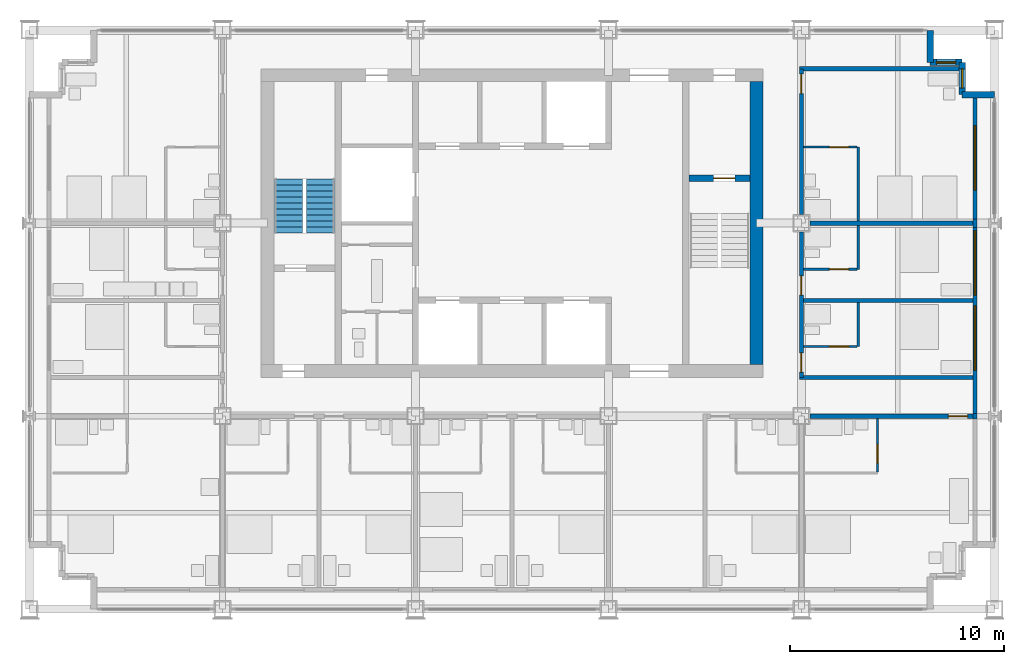
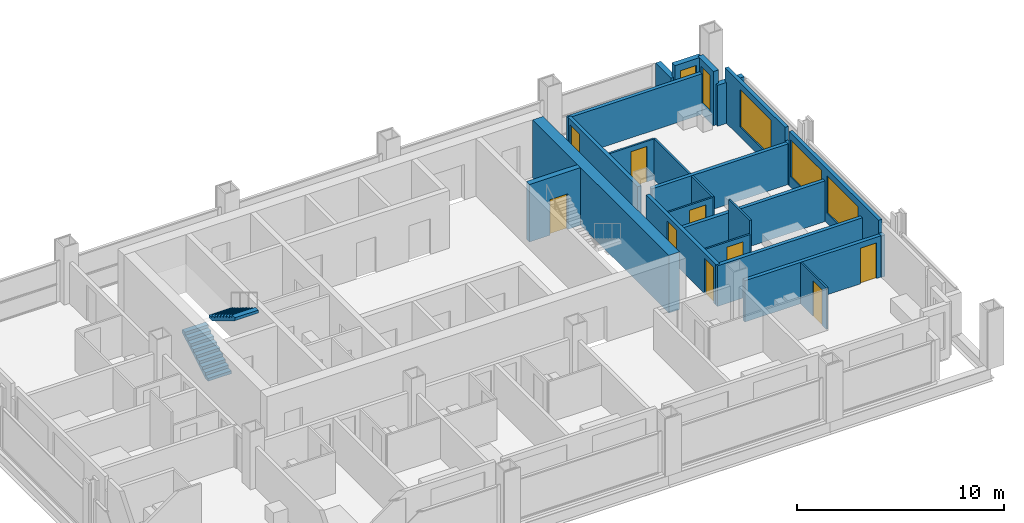
# One storey, part 10 of 14: 24 walls, 9 doors, 5 windows, 2 stair flights, 14 openings, 1 element without a shape of its own.
"""IFC4 building model written with IfcOpenShell, lengths in metres."""

from ifc_helpers import new_model, si_unit, direction, frame, frame_2d, origin, place, context, subcontext, project, spatial, polyline, rectangle, outline, extrude, material, layer, layer_set, type_object, element, fill, aggregate, save


model = new_model("IFC4")

# Units and contexts
model_context = context("Model", 3, precision=1e-05, world=origin(), true_north=direction((0.0, 1.0)))
body_context = subcontext(model_context, "Body", "Model", "MODEL_VIEW")
ifc_project = project(units=[si_unit("LENGTHUNIT", "METRE"), si_unit("AREAUNIT", "SQUARE_METRE"), si_unit("VOLUMEUNIT", "CUBIC_METRE"), si_unit("PLANEANGLEUNIT", "RADIAN"), si_unit("MASSUNIT", "GRAM", prefix="KILO")], contexts=[model_context])

# Site, building, storey
site_placement = place(None, origin())
site = spatial("IfcSite", under=ifc_project, at=site_placement, CompositionType="ELEMENT")
building_placement = place(site_placement, origin())
building = spatial("IfcBuilding", under=site, at=building_placement, Name="Loomwork Tower", CompositionType="ELEMENT")
storey_placement = place(building_placement, frame((0.0, 0.0, 167.199951171875)))
storey = spatial("IfcBuildingStorey", under=building, at=storey_placement, Name="L45", CompositionType="ELEMENT", Elevation=167.199951171875)

# Wall, opening, door
ifc_material_1 = material(Name="Concrete 14000 psi (97 MPa)", Category="concrete")
ifc_layer_1 = layer(ifc_material_1, 0.300048828125)
ifc_layer_set_1 = layer_set([ifc_layer_1], Name="Core shear wall 300")
wall_type_1 = type_object("IfcWallType", Name="Core shear wall 300", PredefinedType="SHEAR", material=ifc_layer_set_1)
wall_1_placement = place(storey_placement, frame((30.75, 20.10009765625, 0.0), z_axis=(0.0, 0.0, 1.0), x_axis=(1.0, 0.0, 0.0)))
wall_1 = element("IfcWall", 1, at=wall_1_placement, inside=storey, type_object=wall_type_1, Name="Stair B north wall L45", PredefinedType="SHEAR", context=body_context, shape_type="SweptSolid", body=[
    extrude(rectangle(XDim=2.85009765625, YDim=0.300048828125, at=frame_2d((1.425048828125, 0.0))), origin(), (0.0, 0.0, 1.0), 3.400146484375),
])
opening_1_placement = place(wall_1_placement, frame((1.14990234375, 0.0, 0.0)))
opening_1 = element("IfcOpeningElement", 2, at=opening_1_placement, cuts=wall_1, Name="Opening D4", PredefinedType="OPENING", context=body_context, shape_type="SweptSolid", body=[
    extrude(rectangle(XDim=1.0, YDim=2.10009765625, at=frame_2d((0.5, 1.050048828125))), frame((0.0, 0.159912109375, 0.0), z_axis=(0.0, -1.0, 0.0), x_axis=(1.0, 0.0, 0.0)), (0.0, 0.0, 1.0), 0.320068359375),
])
ifc_material_2 = material(Name="Hollow metal door and frame")
door_type_1 = type_object("IfcDoorType", Name="Stair door 1000", OperationType="SINGLE_SWING_RIGHT", PredefinedType="DOOR", material=ifc_material_2)
door_1_placement = place(opening_1_placement, frame((1.0, 0.0, 0.0), z_axis=(0.0, 0.0, 1.0), x_axis=(-1.0, 0.0, 0.0)))
door_1 = element("IfcDoor", 3, at=door_1_placement, inside=storey, type_object=door_type_1, Name="Stair B door", OperationType="SINGLE_SWING_LEFT", OverallHeight=2.10009765625, OverallWidth=1.0, PredefinedType="DOOR", context=body_context, shape_type="SweptSolid", body=[
    extrude(rectangle(XDim=1.0, YDim=2.10009765625, at=frame_2d((0.5, 1.050048828125))), frame((0.0, 0.02490234375, 0.0), z_axis=(0.0, -1.0, 0.0), x_axis=(1.0, 0.0, 0.0)), (0.0, 0.0, 1.0), 0.050048828125),
])
fill(opening_1, door_1)

# Wall
ifc_material_3 = material(Name="Concrete 14000 psi (97 MPa)", Category="concrete")
ifc_layer_2 = layer(ifc_material_3, 0.60009765625)
ifc_layer_set_2 = layer_set([ifc_layer_2], Name="Core shear wall 600")
wall_type_2 = type_object("IfcWallType", Name="Core shear wall 600", PredefinedType="SHEAR", material=ifc_layer_set_2)
wall_2_placement = place(storey_placement, frame((33.89990234375, 11.39990234375, 0.0), z_axis=(0.0, 0.0, 1.0), x_axis=(0.0, 1.0, 0.0)))
element("IfcWall", 4, at=wall_2_placement, inside=storey, type_object=wall_type_2, Name="Core wall east L45", PredefinedType="SHEAR", context=body_context, shape_type="SweptSolid", body=[
    extrude(rectangle(XDim=13.2001953125, YDim=0.60009765625, at=frame_2d((6.60009765625, 0.0))), origin(), (0.0, 0.0, 1.0), 3.400146484375),
])

# Wall, opening, door
ifc_material_4 = material(Name="Gypsum board on steel studs, one-hour", Category="steel")
ifc_layer_3 = layer(ifc_material_4, 0.199951171875)
ifc_layer_set_3 = layer_set([ifc_layer_3], Name="Corridor wall 200")
wall_type_3 = type_object("IfcWallType", Name="Corridor wall 200", PredefinedType="PARTITIONING", material=ifc_layer_set_3)
wall_3_placement = place(storey_placement, frame((36.39990234375, 9.0, 0.0), z_axis=(0.0, 0.0, 1.0), x_axis=(1.0, 0.0, 0.0)))
wall_3 = element("IfcWall", 5, at=wall_3_placement, inside=storey, type_object=wall_type_3, Name="South corridor wall 5", PredefinedType="PARTITIONING", context=body_context, shape_type="SweptSolid", body=[
    extrude(rectangle(XDim=7.60009765625, YDim=0.199951171875, at=frame_2d((3.800048828125, 0.0))), origin(), (0.0, 0.0, 1.0), 2.43798828125),
])
opening_2_placement = place(wall_3_placement, frame((6.449951171875, 0.0, 0.0)))
opening_2 = element("IfcOpeningElement", 6, at=opening_2_placement, cuts=wall_3, Name="Opening D1", PredefinedType="OPENING", context=body_context, shape_type="SweptSolid", body=[
    extrude(rectangle(XDim=0.89990234375, YDim=2.10009765625, at=frame_2d((0.449951171875, 1.050048828125))), frame((0.0, 0.10986328125, 0.0), z_axis=(0.0, -1.0, 0.0), x_axis=(1.0, 0.0, 0.0)), (0.0, 0.0, 1.0), 0.219970703125),
])
ifc_material_5 = material(Name="Hollow metal door and frame")
door_type_2 = type_object("IfcDoorType", Name="Guest room entry door 900", OperationType="SINGLE_SWING_LEFT", PredefinedType="DOOR", material=ifc_material_5)
door_2_placement = place(opening_2_placement, frame((0.89990234375, 0.0, 0.0), z_axis=(0.0, 0.0, 1.0), x_axis=(-1.0, 0.0, 0.0)))
door_2 = element("IfcDoor", 7, at=door_2_placement, inside=storey, type_object=door_type_2, Name="Guest room entry door L45 7", OperationType="SINGLE_SWING_LEFT", OverallHeight=2.10009765625, OverallWidth=0.89990234375, PredefinedType="DOOR", context=body_context, shape_type="SweptSolid", body=[
    extrude(rectangle(XDim=0.89990234375, YDim=2.10009765625, at=frame_2d((0.449951171875, 1.050048828125))), frame((0.0, 0.02490234375, 0.0), z_axis=(0.0, -1.0, 0.0), x_axis=(1.0, 0.0, 0.0)), (0.0, 0.0, 1.0), 0.050048828125),
])
fill(opening_2, door_2)

# Wall, openings, doors
wall_4_placement = place(storey_placement, frame((36.0, 10.800048828125, 0.0), z_axis=(0.0, 0.0, 1.0), x_axis=(0.0, 1.0, 0.0)))
wall_4 = element("IfcWall", 8, at=wall_4_placement, inside=storey, type_object=wall_type_3, Name="East corridor wall 1", PredefinedType="PARTITIONING", context=body_context, shape_type="SweptSolid", body=[
    extrude(rectangle(XDim=6.800048828125, YDim=0.199951171875, at=frame_2d((3.39990234375, 0.0))), origin(), (0.0, 0.0, 1.0), 2.405029296875),
])
opening_3_placement = place(wall_4_placement, frame((0.25, 0.0, 0.0)))
opening_3 = element("IfcOpeningElement", 9, at=opening_3_placement, cuts=wall_4, Name="Opening D1", PredefinedType="OPENING", context=body_context, shape_type="SweptSolid", body=[
    extrude(rectangle(XDim=0.89990234375, YDim=2.10009765625, at=frame_2d((0.449951171875, 1.050048828125))), frame((0.0, 0.10986328125, 0.0), z_axis=(0.0, -1.0, 0.0), x_axis=(1.0, 0.0, 0.0)), (0.0, 0.0, 1.0), 0.219970703125),
])
opening_4_placement = place(wall_4_placement, frame((3.85009765625, 0.0, 0.0)))
opening_4 = element("IfcOpeningElement", 10, at=opening_4_placement, cuts=wall_4, Name="Opening D1", PredefinedType="OPENING", context=body_context, shape_type="SweptSolid", body=[
    extrude(rectangle(XDim=0.89990234375, YDim=2.10009765625, at=frame_2d((0.449951171875, 1.050048828125))), frame((0.0, 0.10986328125, 0.0), z_axis=(0.0, -1.0, 0.0), x_axis=(1.0, 0.0, 0.0)), (0.0, 0.0, 1.0), 0.219970703125),
])
door_3_placement = place(opening_3_placement, frame((0.89990234375, 0.0, 0.0), z_axis=(0.0, 0.0, 1.0), x_axis=(-1.0, 0.0, 0.0)))
door_3 = element("IfcDoor", 11, at=door_3_placement, inside=storey, type_object=door_type_2, Name="Guest room entry door L45 11", OperationType="SINGLE_SWING_RIGHT", OverallHeight=2.10009765625, OverallWidth=0.89990234375, PredefinedType="DOOR", context=body_context, shape_type="SweptSolid", body=[
    extrude(rectangle(XDim=0.89990234375, YDim=2.10009765625, at=frame_2d((0.449951171875, 1.050048828125))), frame((0.0, 0.02490234375, 0.0), z_axis=(0.0, -1.0, 0.0), x_axis=(1.0, 0.0, 0.0)), (0.0, 0.0, 1.0), 0.050048828125),
])
fill(opening_3, door_3)
door_4_placement = place(opening_4_placement, frame((0.89990234375, 0.0, 0.0), z_axis=(0.0, 0.0, 1.0), x_axis=(-1.0, 0.0, 0.0)))
door_4 = element("IfcDoor", 12, at=door_4_placement, inside=storey, type_object=door_type_2, Name="Guest room entry door L45 12", OperationType="SINGLE_SWING_RIGHT", OverallHeight=2.10009765625, OverallWidth=0.89990234375, PredefinedType="DOOR", context=body_context, shape_type="SweptSolid", body=[
    extrude(rectangle(XDim=0.89990234375, YDim=2.10009765625, at=frame_2d((0.449951171875, 1.050048828125))), frame((0.0, 0.02490234375, 0.0), z_axis=(0.0, -1.0, 0.0), x_axis=(1.0, 0.0, 0.0)), (0.0, 0.0, 1.0), 0.050048828125),
])
fill(opening_4, door_4)

# Wall, opening, door
wall_5_placement = place(storey_placement, frame((36.0, 18.39990234375, 0.0), z_axis=(0.0, 0.0, 1.0), x_axis=(0.0, 1.0, 0.0)))
wall_5 = element("IfcWall", 13, at=wall_5_placement, inside=storey, type_object=wall_type_3, Name="East corridor wall 2", PredefinedType="PARTITIONING", context=body_context, shape_type="SweptSolid", body=[
    extrude(rectangle(XDim=6.800048828125, YDim=0.199951171875, at=frame_2d((3.39990234375, 0.0))), origin(), (0.0, 0.0, 1.0), 2.405029296875),
])
opening_5_placement = place(wall_5_placement, frame((5.64990234375, 0.0, 0.0)))
opening_5 = element("IfcOpeningElement", 14, at=opening_5_placement, cuts=wall_5, Name="Opening D1", PredefinedType="OPENING", context=body_context, shape_type="SweptSolid", body=[
    extrude(rectangle(XDim=0.89990234375, YDim=2.10009765625, at=frame_2d((0.449951171875, 1.050048828125))), frame((0.0, 0.10986328125, 0.0), z_axis=(0.0, -1.0, 0.0), x_axis=(1.0, 0.0, 0.0)), (0.0, 0.0, 1.0), 0.219970703125),
])
door_5_placement = place(opening_5_placement, frame((0.89990234375, 0.0, 0.0), z_axis=(0.0, 0.0, 1.0), x_axis=(-1.0, 0.0, 0.0)))
door_5 = element("IfcDoor", 15, at=door_5_placement, inside=storey, type_object=door_type_2, Name="Guest room entry door L45 13", OperationType="SINGLE_SWING_LEFT", OverallHeight=2.10009765625, OverallWidth=0.89990234375, PredefinedType="DOOR", context=body_context, shape_type="SweptSolid", body=[
    extrude(rectangle(XDim=0.89990234375, YDim=2.10009765625, at=frame_2d((0.449951171875, 1.050048828125))), frame((0.0, 0.02490234375, 0.0), z_axis=(0.0, -1.0, 0.0), x_axis=(1.0, 0.0, 0.0)), (0.0, 0.0, 1.0), 0.050048828125),
])
fill(opening_5, door_5)

# Walls
wall_6_placement = place(storey_placement, frame((35.89990234375, 10.800048828125, 0.0), z_axis=(0.0, 0.0, 1.0), x_axis=(1.0, 0.0, 0.0)))
element("IfcWall", 16, at=wall_6_placement, inside=storey, type_object=wall_type_3, Name="East band end wall S", PredefinedType="PARTITIONING", context=body_context, shape_type="SweptSolid", body=[
    extrude(rectangle(XDim=8.10009765625, YDim=0.199951171875, at=frame_2d((4.050048828125, 0.0))), origin(), (0.0, 0.0, 1.0), 2.404052734375),
])
wall_7_placement = place(storey_placement, frame((35.89990234375, 25.199951171875, 0.0), z_axis=(0.0, 0.0, 1.0), x_axis=(1.0, 0.0, 0.0)))
element("IfcWall", 17, at=wall_7_placement, inside=storey, type_object=wall_type_3, Name="East band end wall N", PredefinedType="PARTITIONING", context=body_context, shape_type="SweptSolid", body=[
    extrude(rectangle(XDim=7.4501953125, YDim=0.199951171875, at=frame_2d((3.72509765625, 0.0))), origin(), (0.0, 0.0, 1.0), 2.404052734375),
])

# Wall, opening, door
ifc_material_6 = material(Name="Cement board on steel studs", Category="steel")
ifc_layer_4 = layer(ifc_material_6, 0.10009765625)
ifc_layer_set_4 = layer_set([ifc_layer_4], Name="En-suite partition 100")
wall_type_4 = type_object("IfcWallType", Name="En-suite partition 100", PredefinedType="PARTITIONING", material=ifc_layer_set_4)
wall_8_placement = place(storey_placement, frame((39.550048828125, 8.89990234375, 0.0), z_axis=(0.0, 0.0, 1.0), x_axis=(0.0, -1.0, 0.0)))
wall_8 = element("IfcWall", 18, at=wall_8_placement, inside=storey, type_object=wall_type_4, Name="En-suite side wall L45 room 7", PredefinedType="PARTITIONING", context=body_context, shape_type="SweptSolid", body=[
    extrude(rectangle(XDim=2.5, YDim=0.10009765625, at=frame_2d((1.25, 0.0))), origin(), (0.0, 0.0, 1.0), 2.43798828125),
])
opening_6_placement = place(wall_8_placement, frame((1.199951171875, 0.0, 0.0)))
opening_6 = element("IfcOpeningElement", 19, at=opening_6_placement, cuts=wall_8, Name="Opening D2", PredefinedType="OPENING", context=body_context, shape_type="SweptSolid", body=[
    extrude(rectangle(XDim=0.89990234375, YDim=2.10009765625, at=frame_2d((0.449951171875, 1.050048828125))), frame((0.0, 0.06005859375, 0.0), z_axis=(0.0, -1.0, 0.0), x_axis=(1.0, 0.0, 0.0)), (0.0, 0.0, 1.0), 0.1201171875),
])
ifc_material_7 = material(Name="Hollow metal door and frame")
door_type_3 = type_object("IfcDoorType", Name="En-suite door 900", OperationType="SINGLE_SWING_LEFT", PredefinedType="DOOR", material=ifc_material_7)
door_6_placement = place(opening_6_placement, frame((0.89990234375, 0.0, 0.0), z_axis=(0.0, 0.0, 1.0), x_axis=(-1.0, 0.0, 0.0)))
door_6 = element("IfcDoor", 20, at=door_6_placement, inside=storey, type_object=door_type_3, Name="En-suite door room 7", OperationType="SINGLE_SWING_LEFT", OverallHeight=2.10009765625, OverallWidth=0.89990234375, PredefinedType="DOOR", context=body_context, shape_type="SweptSolid", body=[
    extrude(rectangle(XDim=0.89990234375, YDim=2.10009765625, at=frame_2d((0.449951171875, 1.050048828125))), frame((0.0, 0.02490234375, 0.0), z_axis=(0.0, -1.0, 0.0), x_axis=(1.0, 0.0, 0.0)), (0.0, 0.0, 1.0), 0.050048828125),
])
fill(opening_6, door_6)

# Wall
wall_9_placement = place(storey_placement, frame((38.64990234375, 12.25, 0.0), z_axis=(0.0, 0.0, 1.0), x_axis=(0.0, 1.0, 0.0)))
element("IfcWall", 21, at=wall_9_placement, inside=storey, type_object=wall_type_4, Name="En-suite wall L45 room 11", PredefinedType="PARTITIONING", context=body_context, shape_type="SweptSolid", body=[
    extrude(rectangle(XDim=2.050048828125, YDim=0.10009765625, at=frame_2d((1.02490234375, 0.0))), origin(), (0.0, 0.0, 1.0), 3.199951171875),
])

# Wall, opening, door
wall_10_placement = place(storey_placement, frame((36.10009765625, 12.25, 0.0), z_axis=(0.0, 0.0, 1.0), x_axis=(1.0, 0.0, 0.0)))
wall_10 = element("IfcWall", 22, at=wall_10_placement, inside=storey, type_object=wall_type_4, Name="En-suite side wall L45 room 11", PredefinedType="PARTITIONING", context=body_context, shape_type="SweptSolid", body=[
    extrude(rectangle(XDim=2.5, YDim=0.10009765625, at=frame_2d((1.25, 0.0))), origin(), (0.0, 0.0, 1.0), 2.404052734375),
])
opening_7_placement = place(wall_10_placement, frame((1.199951171875, 0.0, 0.0)))
opening_7 = element("IfcOpeningElement", 23, at=opening_7_placement, cuts=wall_10, Name="Opening D2", PredefinedType="OPENING", context=body_context, shape_type="SweptSolid", body=[
    extrude(rectangle(XDim=0.89990234375, YDim=2.10009765625, at=frame_2d((0.449951171875, 1.050048828125))), frame((0.0, 0.06005859375, 0.0), z_axis=(0.0, -1.0, 0.0), x_axis=(1.0, 0.0, 0.0)), (0.0, 0.0, 1.0), 0.1201171875),
])
door_7_placement = place(opening_7_placement, origin())
door_7 = element("IfcDoor", 24, at=door_7_placement, inside=storey, type_object=door_type_3, Name="En-suite door room 11", OperationType="SINGLE_SWING_RIGHT", OverallHeight=2.10009765625, OverallWidth=0.89990234375, PredefinedType="DOOR", context=body_context, shape_type="SweptSolid", body=[
    extrude(rectangle(XDim=0.89990234375, YDim=2.10009765625, at=frame_2d((0.449951171875, 1.050048828125))), frame((0.0, 0.02490234375, 0.0), z_axis=(0.0, -1.0, 0.0), x_axis=(1.0, 0.0, 0.0)), (0.0, 0.0, 1.0), 0.050048828125),
])
fill(opening_7, door_7)

# Wall
wall_11_placement = place(storey_placement, frame((38.64990234375, 15.85009765625, 0.0), z_axis=(0.0, 0.0, 1.0), x_axis=(0.0, 1.0, 0.0)))
element("IfcWall", 25, at=wall_11_placement, inside=storey, type_object=wall_type_4, Name="En-suite wall L45 room 12", PredefinedType="PARTITIONING", context=body_context, shape_type="SweptSolid", body=[
    extrude(rectangle(XDim=2.0498046875, YDim=0.10009765625, at=frame_2d((1.02490234375, 0.0))), origin(), (0.0, 0.0, 1.0), 2.404052734375),
])

# Wall, opening, door
wall_12_placement = place(storey_placement, frame((36.10009765625, 15.85009765625, 0.0), z_axis=(0.0, 0.0, 1.0), x_axis=(1.0, 0.0, 0.0)))
wall_12 = element("IfcWall", 26, at=wall_12_placement, inside=storey, type_object=wall_type_4, Name="En-suite side wall L45 room 12", PredefinedType="PARTITIONING", context=body_context, shape_type="SweptSolid", body=[
    extrude(rectangle(XDim=2.5, YDim=0.10009765625, at=frame_2d((1.25, 0.0))), origin(), (0.0, 0.0, 1.0), 2.404052734375),
])
opening_8_placement = place(wall_12_placement, frame((1.199951171875, 0.0, 0.0)))
opening_8 = element("IfcOpeningElement", 27, at=opening_8_placement, cuts=wall_12, Name="Opening D3", PredefinedType="OPENING", context=body_context, shape_type="SweptSolid", body=[
    extrude(rectangle(XDim=0.89990234375, YDim=2.10009765625, at=frame_2d((0.449951171875, 1.050048828125))), frame((0.0, 0.06005859375, 0.0), z_axis=(0.0, -1.0, 0.0), x_axis=(1.0, 0.0, 0.0)), (0.0, 0.0, 1.0), 0.1201171875),
])
ifc_material_8 = material(Name="Hollow metal door and frame")
door_type_4 = type_object("IfcDoorType", Name="Accessible en-suite door 900", OperationType="SLIDING_TO_LEFT", PredefinedType="DOOR", material=ifc_material_8)
door_8_placement = place(opening_8_placement, origin())
door_8 = element("IfcDoor", 28, at=door_8_placement, inside=storey, type_object=door_type_4, Name="Accessible en-suite door room 12", OperationType="SLIDING_TO_LEFT", OverallHeight=2.10009765625, OverallWidth=0.89990234375, PredefinedType="DOOR", context=body_context, shape_type="SweptSolid", body=[
    extrude(rectangle(XDim=0.89990234375, YDim=2.10009765625, at=frame_2d((0.449951171875, 1.050048828125))), frame((0.0, 0.02490234375, 0.0), z_axis=(0.0, -1.0, 0.0), x_axis=(1.0, 0.0, 0.0)), (0.0, 0.0, 1.0), 0.050048828125),
])
fill(opening_8, door_8)

# Wall
wall_13_placement = place(storey_placement, frame((38.64990234375, 18.10009765625, 0.0), z_axis=(0.0, 0.0, 1.0), x_axis=(0.0, 1.0, 0.0)))
element("IfcWall", 29, at=wall_13_placement, inside=storey, type_object=wall_type_4, Name="En-suite wall L45 room 13", PredefinedType="PARTITIONING", context=body_context, shape_type="SweptSolid", body=[
    extrude(rectangle(XDim=3.449951171875, YDim=0.10009765625, at=frame_2d((1.72509765625, 0.0))), origin(), (0.0, 0.0, 1.0), 2.404052734375),
])

# Wall, opening, door
wall_14_placement = place(storey_placement, frame((36.10009765625, 21.550048828125, 0.0), z_axis=(0.0, 0.0, 1.0), x_axis=(1.0, 0.0, 0.0)))
wall_14 = element("IfcWall", 30, at=wall_14_placement, inside=storey, type_object=wall_type_4, Name="En-suite side wall L45 room 13", PredefinedType="PARTITIONING", context=body_context, shape_type="SweptSolid", body=[
    extrude(rectangle(XDim=2.5, YDim=0.10009765625, at=frame_2d((1.25, 0.0))), origin(), (0.0, 0.0, 1.0), 2.404052734375),
])
opening_9_placement = place(wall_14_placement, frame((1.199951171875, 0.0, 0.0)))
opening_9 = element("IfcOpeningElement", 31, at=opening_9_placement, cuts=wall_14, Name="Opening D2", PredefinedType="OPENING", context=body_context, shape_type="SweptSolid", body=[
    extrude(rectangle(XDim=0.89990234375, YDim=2.10009765625, at=frame_2d((0.449951171875, 1.050048828125))), frame((0.0, 0.06005859375, 0.0), z_axis=(0.0, -1.0, 0.0), x_axis=(1.0, 0.0, 0.0)), (0.0, 0.0, 1.0), 0.1201171875),
])
door_9_placement = place(opening_9_placement, frame((0.89990234375, 0.0, 0.0), z_axis=(0.0, 0.0, 1.0), x_axis=(-1.0, 0.0, 0.0)))
door_9 = element("IfcDoor", 32, at=door_9_placement, inside=storey, type_object=door_type_3, Name="En-suite door room 13", OperationType="SINGLE_SWING_LEFT", OverallHeight=2.10009765625, OverallWidth=0.89990234375, PredefinedType="DOOR", context=body_context, shape_type="SweptSolid", body=[
    extrude(rectangle(XDim=0.89990234375, YDim=2.10009765625, at=frame_2d((0.449951171875, 1.050048828125))), frame((0.0, 0.02490234375, 0.0), z_axis=(0.0, -1.0, 0.0), x_axis=(1.0, 0.0, 0.0)), (0.0, 0.0, 1.0), 0.050048828125),
])
fill(opening_9, door_9)

# Walls
ifc_material_9 = material(Name="Gypsum board on steel studs, acoustic", Category="steel")
ifc_layer_5 = layer(ifc_material_9, 0.199951171875)
ifc_layer_set_5 = layer_set([ifc_layer_5], Name="Guest room party wall 200")
wall_type_5 = type_object("IfcWallType", Name="Guest room party wall 200", PredefinedType="PARTITIONING", material=ifc_layer_set_5)
wall_15_placement = place(storey_placement, frame((36.10009765625, 14.39990234375, 0.0), z_axis=(0.0, 0.0, 1.0), x_axis=(1.0, 0.0, 0.0)))
element("IfcWall", 33, at=wall_15_placement, inside=storey, type_object=wall_type_5, Name="Guest room party wall E 14.4", PredefinedType="PARTITIONING", context=body_context, shape_type="SweptSolid", body=[
    extrude(rectangle(XDim=7.89990234375, YDim=0.199951171875, at=frame_2d((3.949951171875, 0.0))), origin(), (0.0, 0.0, 1.0), 2.404052734375),
])
wall_16_placement = place(storey_placement, frame((36.39990234375, 18.0, 0.0), z_axis=(0.0, 0.0, 1.0), x_axis=(1.0, 0.0, 0.0)))
element("IfcWall", 34, at=wall_16_placement, inside=storey, type_object=wall_type_5, Name="Guest room party wall E 18", PredefinedType="PARTITIONING", context=body_context, shape_type="SweptSolid", body=[
    extrude(rectangle(XDim=7.60009765625, YDim=0.199951171875, at=frame_2d((3.800048828125, 0.0))), origin(), (0.0, 0.0, 1.0), 2.405029296875),
])
ifc_material_10 = material(Name="Insulated steel stud wall with gypsum lining", Category="steel")
ifc_layer_6 = layer(ifc_material_10, 0.199951171875)
ifc_layer_set_6 = layer_set([ifc_layer_6], Name="Inner skin wall 200")
wall_type_6 = type_object("IfcWallType", Name="Inner skin wall 200", PredefinedType="SOLIDWALL", material=ifc_layer_set_6)
wall_17_placement = place(storey_placement, frame((44.10009765625, 8.86474609375, 0.0), z_axis=(0.0, 0.0, 1.0), x_axis=(0.0, 1.0, 0.0)))
element("IfcWall", 35, at=wall_17_placement, inside=storey, type_object=wall_type_6, Name="Inner skin wall E bay 4", PredefinedType="SOLIDWALL", context=body_context, shape_type="SweptSolid", body=[
    extrude(rectangle(XDim=0.2705078125, YDim=0.199951171875, at=frame_2d((0.13525390625, 0.0))), origin(), (0.0, 0.0, 1.0), 2.43798828125),
])

# Wall, openings, windows
wall_18_placement = place(storey_placement, frame((44.10009765625, 9.13525390625, 0.0), z_axis=(0.0, 0.0, 1.0), x_axis=(0.0, 1.0, 0.0)))
wall_18 = element("IfcWall", 36, at=wall_18_placement, inside=storey, type_object=wall_type_6, Name="Inner skin wall E bay 5", PredefinedType="SOLIDWALL", context=body_context, shape_type="SweptSolid", body=[
    extrude(rectangle(XDim=8.6708984375, YDim=0.199951171875, at=frame_2d((4.33544921875, 0.0))), origin(), (0.0, 0.0, 1.0), 3.199951171875),
])
opening_10_placement = place(wall_18_placement, frame((2.0146484375, 0.0, 0.60009765625)))
opening_10 = element("IfcOpeningElement", 37, at=opening_10_placement, cuts=wall_18, Name="Opening CH1", PredefinedType="OPENING", context=body_context, shape_type="SweptSolid", body=[
    extrude(rectangle(XDim=3.0, YDim=2.199951171875, at=frame_2d((1.5, 1.10009765625))), frame((0.0, 0.10986328125, 0.0), z_axis=(0.0, -1.0, 0.0), x_axis=(1.0, 0.0, 0.0)), (0.0, 0.0, 1.0), 0.219970703125),
])
opening_11_placement = place(wall_18_placement, frame((5.5146484375, 0.0, 0.60009765625)))
opening_11 = element("IfcOpeningElement", 38, at=opening_11_placement, cuts=wall_18, Name="Opening CH1", PredefinedType="OPENING", context=body_context, shape_type="SweptSolid", body=[
    extrude(rectangle(XDim=3.0, YDim=2.199951171875, at=frame_2d((1.5, 1.10009765625))), frame((0.0, 0.10986328125, 0.0), z_axis=(0.0, -1.0, 0.0), x_axis=(1.0, 0.0, 0.0)), (0.0, 0.0, 1.0), 0.219970703125),
])
ifc_material_11 = material(Name="Aluminium frame with clear insulated glass", Category="aluminium")
window_type_1 = type_object("IfcWindowType", Name="Chicago window 3000", PartitioningType="TRIPLE_PANEL_VERTICAL", PredefinedType="WINDOW", material=ifc_material_11)
window_1_placement = place(opening_10_placement, origin())
window_1 = element("IfcWindow", 39, at=window_1_placement, inside=storey, type_object=window_type_1, Name="Chicago window L45 bay 8", OverallHeight=2.199951171875, OverallWidth=3.0, PartitioningType="TRIPLE_PANEL_VERTICAL", PredefinedType="WINDOW", context=body_context, shape_type="SweptSolid", body=[
    extrude(rectangle(XDim=3.0, YDim=2.199951171875, at=frame_2d((1.5, 1.10009765625))), frame((0.0, 0.030029296875, 0.0), z_axis=(0.0, -1.0, 0.0), x_axis=(1.0, 0.0, 0.0)), (0.0, 0.0, 1.0), 0.06005859375),
])
fill(opening_10, window_1)
window_2_placement = place(opening_11_placement, origin())
window_2 = element("IfcWindow", 40, at=window_2_placement, inside=storey, type_object=window_type_1, Name="Chicago window L45 bay 8", OverallHeight=2.199951171875, OverallWidth=3.0, PartitioningType="TRIPLE_PANEL_VERTICAL", PredefinedType="WINDOW", context=body_context, shape_type="SweptSolid", body=[
    extrude(rectangle(XDim=3.0, YDim=2.199951171875, at=frame_2d((1.5, 1.10009765625))), frame((0.0, 0.030029296875, 0.0), z_axis=(0.0, -1.0, 0.0), x_axis=(1.0, 0.0, 0.0)), (0.0, 0.0, 1.0), 0.06005859375),
])
fill(opening_11, window_2)

# Wall
wall_19_placement = place(storey_placement, frame((44.10009765625, 17.80615234375, 0.0), z_axis=(0.0, 0.0, 1.0), x_axis=(0.0, 1.0, 0.0)))
element("IfcWall", 41, at=wall_19_placement, inside=storey, type_object=wall_type_6, Name="Inner skin wall E bay 6", PredefinedType="SOLIDWALL", context=body_context, shape_type="SweptSolid", body=[
    extrude(rectangle(XDim=0.3876953125, YDim=0.199951171875, at=frame_2d((0.19384765625, 0.0))), origin(), (0.0, 0.0, 1.0), 2.404052734375),
])

# Wall, opening, window
wall_20_placement = place(storey_placement, frame((44.10009765625, 18.19384765625, 0.0), z_axis=(0.0, 0.0, 1.0), x_axis=(0.0, 1.0, 0.0)))
wall_20 = element("IfcWall", 42, at=wall_20_placement, inside=storey, type_object=wall_type_6, Name="Inner skin wall E bay 7", PredefinedType="SOLIDWALL", context=body_context, shape_type="SweptSolid", body=[
    extrude(rectangle(XDim=5.80615234375, YDim=0.199951171875, at=frame_2d((2.903076171875, 0.0))), origin(), (0.0, 0.0, 1.0), 3.199951171875),
])
opening_12_placement = place(wall_20_placement, frame((1.356201171875, 0.0, 0.60009765625)))
opening_12 = element("IfcOpeningElement", 43, at=opening_12_placement, cuts=wall_20, Name="Opening CH1", PredefinedType="OPENING", context=body_context, shape_type="SweptSolid", body=[
    extrude(rectangle(XDim=3.0, YDim=2.199951171875, at=frame_2d((1.5, 1.10009765625))), frame((0.0, 0.10986328125, 0.0), z_axis=(0.0, -1.0, 0.0), x_axis=(1.0, 0.0, 0.0)), (0.0, 0.0, 1.0), 0.219970703125),
])
window_3_placement = place(opening_12_placement, origin())
window_3 = element("IfcWindow", 44, at=window_3_placement, inside=storey, type_object=window_type_1, Name="Chicago window L45 bay 9", OverallHeight=2.199951171875, OverallWidth=3.0, PartitioningType="TRIPLE_PANEL_VERTICAL", PredefinedType="WINDOW", context=body_context, shape_type="SweptSolid", body=[
    extrude(rectangle(XDim=3.0, YDim=2.199951171875, at=frame_2d((1.5, 1.10009765625))), frame((0.0, 0.030029296875, 0.0), z_axis=(0.0, -1.0, 0.0), x_axis=(1.0, 0.0, 0.0)), (0.0, 0.0, 1.0), 0.06005859375),
])
fill(opening_12, window_3)

# Wall
ifc_material_12 = material(Name="Limestone on concrete masonry", Category="masonry")
ifc_layer_7 = layer(ifc_material_12, 0.300048828125)
ifc_layer_set_7 = layer_set([ifc_layer_7], Name="Limestone corner wall 300")
wall_type_7 = type_object("IfcWallType", Name="Limestone corner wall 300", PredefinedType="SOLIDWALL", material=ifc_layer_set_7)
wall_21_placement = place(storey_placement, frame((45.0, 24.0, 0.0), z_axis=(0.0, 0.0, 1.0), x_axis=(-1.0, 0.0, 0.0)))
element("IfcWall", 45, at=wall_21_placement, inside=storey, type_object=wall_type_7, Name="Stone corner wall NE 1", PredefinedType="SOLIDWALL", context=body_context, shape_type="SweptSolid", body=[
    extrude(rectangle(XDim=1.5, YDim=0.300048828125, at=frame_2d((0.75, 0.0))), origin(), (0.0, 0.0, 1.0), 2.420166015625),
])

# Wall, opening, window
wall_22_placement = place(storey_placement, frame((43.5, 24.0, 0.0), z_axis=(0.0, 0.0, 1.0), x_axis=(0.0, 1.0, 0.0)))
wall_22 = element("IfcWall", 46, at=wall_22_placement, inside=storey, type_object=wall_type_7, Name="Stone corner wall NE 2", PredefinedType="SOLIDWALL", context=body_context, shape_type="SweptSolid", body=[
    extrude(rectangle(XDim=1.5, YDim=0.300048828125, at=frame_2d((0.75, 0.0))), origin(), (0.0, 0.0, 1.0), 3.199951171875),
])
opening_13_placement = place(wall_22_placement, frame((0.300048828125, 0.0, 0.60009765625)))
opening_13 = element("IfcOpeningElement", 47, at=opening_13_placement, cuts=wall_22, Name="Opening CH2", PredefinedType="OPENING", context=body_context, shape_type="SweptSolid", body=[
    extrude(rectangle(XDim=0.89990234375, YDim=2.199951171875, at=frame_2d((0.449951171875, 1.10009765625))), frame((0.0, 0.159912109375, 0.0), z_axis=(0.0, -1.0, 0.0), x_axis=(1.0, 0.0, 0.0)), (0.0, 0.0, 1.0), 0.320068359375),
])
ifc_material_13 = material(Name="Aluminium frame with clear insulated glass", Category="aluminium")
window_type_2 = type_object("IfcWindowType", Name="Corner window 900", PartitioningType="SINGLE_PANEL", PredefinedType="WINDOW", material=ifc_material_13)
window_4_placement = place(opening_13_placement, origin())
window_4 = element("IfcWindow", 48, at=window_4_placement, inside=storey, type_object=window_type_2, Name="Corner window NE", OverallHeight=2.199951171875, OverallWidth=0.89990234375, PartitioningType="SINGLE_PANEL", PredefinedType="WINDOW", context=body_context, shape_type="SweptSolid", body=[
    extrude(rectangle(XDim=0.89990234375, YDim=2.199951171875, at=frame_2d((0.449951171875, 1.10009765625))), frame((0.0, 0.030029296875, 0.0), z_axis=(0.0, -1.0, 0.0), x_axis=(1.0, 0.0, 0.0)), (0.0, 0.0, 1.0), 0.06005859375),
])
fill(opening_13, window_4)

wall_23_placement = place(storey_placement, frame((43.5, 25.5, 0.0), z_axis=(0.0, 0.0, 1.0), x_axis=(-1.0, 0.0, 0.0)))
wall_23 = element("IfcWall", 49, at=wall_23_placement, inside=storey, type_object=wall_type_7, Name="Stone corner wall NE 3", PredefinedType="SOLIDWALL", context=body_context, shape_type="SweptSolid", body=[
    extrude(rectangle(XDim=1.5, YDim=0.300048828125, at=frame_2d((0.75, 0.0))), origin(), (0.0, 0.0, 1.0), 3.199951171875),
])
opening_14_placement = place(wall_23_placement, frame((0.300048828125, 0.0, 0.60009765625)))
opening_14 = element("IfcOpeningElement", 50, at=opening_14_placement, cuts=wall_23, Name="Opening CH2", PredefinedType="OPENING", context=body_context, shape_type="SweptSolid", body=[
    extrude(rectangle(XDim=0.89990234375, YDim=2.199951171875, at=frame_2d((0.449951171875, 1.10009765625))), frame((0.0, 0.159912109375, 0.0), z_axis=(0.0, -1.0, 0.0), x_axis=(1.0, 0.0, 0.0)), (0.0, 0.0, 1.0), 0.320068359375),
])
window_5_placement = place(opening_14_placement, origin())
window_5 = element("IfcWindow", 51, at=window_5_placement, inside=storey, type_object=window_type_2, Name="Corner window NE", OverallHeight=2.199951171875, OverallWidth=0.89990234375, PartitioningType="SINGLE_PANEL", PredefinedType="WINDOW", context=body_context, shape_type="SweptSolid", body=[
    extrude(rectangle(XDim=0.89990234375, YDim=2.199951171875, at=frame_2d((0.449951171875, 1.10009765625))), frame((0.0, 0.030029296875, 0.0), z_axis=(0.0, -1.0, 0.0), x_axis=(1.0, 0.0, 0.0)), (0.0, 0.0, 1.0), 0.06005859375),
])
fill(opening_14, window_5)

# Wall
wall_24_placement = place(storey_placement, frame((42.0, 25.5, 0.0), z_axis=(0.0, 0.0, 1.0), x_axis=(0.0, 1.0, 0.0)))
element("IfcWall", 52, at=wall_24_placement, inside=storey, type_object=wall_type_7, Name="Stone corner wall NE 4", PredefinedType="SOLIDWALL", context=body_context, shape_type="SweptSolid", body=[
    extrude(rectangle(XDim=1.5, YDim=0.300048828125, at=frame_2d((0.75, 0.0))), origin(), (0.0, 0.0, 1.0), 2.420166015625),
])

# Stair, stair flights
ifc_material_14 = material(Name="Concrete 5000 psi (34 MPa) precast stair", Category="concrete")
stair_type = type_object("IfcStairType", Name="Stair ST-A 20 risers 2850 wide", PredefinedType="HALF_TURN_STAIR", material=ifc_material_14)
stair_placement = place(storey_placement, origin())
stair = element("IfcStair", 53, at=stair_placement, inside=storey, type_object=stair_type, Name="Stair A L45", PredefinedType="HALF_TURN_STAIR")
ifc_material_15 = material(Name="Concrete 5000 psi (34 MPa) precast stair", Category="concrete")
stair_flight_type = type_object("IfcStairFlightType", Name="Stair flight ST-A 10 risers 1300 wide", PredefinedType="STRAIGHT", material=ifc_material_15)
stair_flight_1_placement = place(storey_placement, frame((12.074951171875, 17.550048828125, 0.0), z_axis=(0.0, 0.0, 1.0), x_axis=(0.0, 1.0, 0.0)))
stair_flight_1 = element("IfcStairFlight", 54, at=stair_flight_1_placement, type_object=stair_flight_type, Name="ST-A flight 1", NumberOfRisers=10, NumberOfTreads=9, PredefinedType="STRAIGHT", RiserHeight=0.17, TreadLength=0.28, context=body_context, shape_type="SweptSolid", body=[
    extrude(outline(polyline([(0.0, 0.0), (0.0, 0.169921875), (0.280029296875, 0.169921875), (0.280029296875, 0.340087890625), (0.56005859375, 0.340087890625), (0.56005859375, 0.510009765625), (0.840087890625, 0.510009765625), (0.840087890625, 0.679931640625), (1.1201171875, 0.679931640625), (1.1201171875, 0.85009765625), (1.39990234375, 0.85009765625), (1.39990234375, 1.02001953125), (1.679931640625, 1.02001953125), (1.679931640625, 1.18994140625), (1.9599609375, 1.18994140625), (1.9599609375, 1.360107421875), (2.239990234375, 1.360107421875), (2.239990234375, 1.530029296875), (2.52001953125, 1.530029296875), (2.52001953125, 1.699951171875), (2.52001953125, 1.354736328125), (0.288818359375, 0.0), (0.0, 0.0)])), frame((0.0, 0.64990234375, 0.0), z_axis=(0.0, -1.0, 0.0), x_axis=(1.0, 0.0, 0.0)), (0.0, 0.0, 1.0), 1.300048828125),
])
stair_flight_2_placement = place(storey_placement, frame((13.574951171875, 20.070068359375, 1.699951171875), z_axis=(0.0, 0.0, 1.0), x_axis=(0.0, -1.0, 0.0)))
stair_flight_2 = element("IfcStairFlight", 55, at=stair_flight_2_placement, type_object=stair_flight_type, Name="ST-A flight 2", NumberOfRisers=10, NumberOfTreads=9, PredefinedType="STRAIGHT", RiserHeight=0.17, TreadLength=0.28, context=body_context, shape_type="SweptSolid", body=[
    extrude(outline(polyline([(0.0, 0.0), (0.0, 0.169921875), (0.280029296875, 0.169921875), (0.280029296875, 0.340087890625), (0.56005859375, 0.340087890625), (0.56005859375, 0.510009765625), (0.840087890625, 0.510009765625), (0.840087890625, 0.679931640625), (1.1201171875, 0.679931640625), (1.1201171875, 0.85009765625), (1.39990234375, 0.85009765625), (1.39990234375, 1.02001953125), (1.679931640625, 1.02001953125), (1.679931640625, 1.18994140625), (1.9599609375, 1.18994140625), (1.9599609375, 1.360107421875), (2.239990234375, 1.360107421875), (2.239990234375, 1.530029296875), (2.52001953125, 1.530029296875), (2.52001953125, 1.699951171875), (2.52001953125, 1.354736328125), (0.288818359375, 0.0), (0.0, 0.0)])), frame((0.0, 0.64990234375, 0.0), z_axis=(0.0, -1.0, 0.0), x_axis=(1.0, 0.0, 0.0)), (0.0, 0.0, 1.0), 1.300048828125),
])
aggregate(stair, [stair_flight_1, stair_flight_2])

save(model, "model.ifc")
